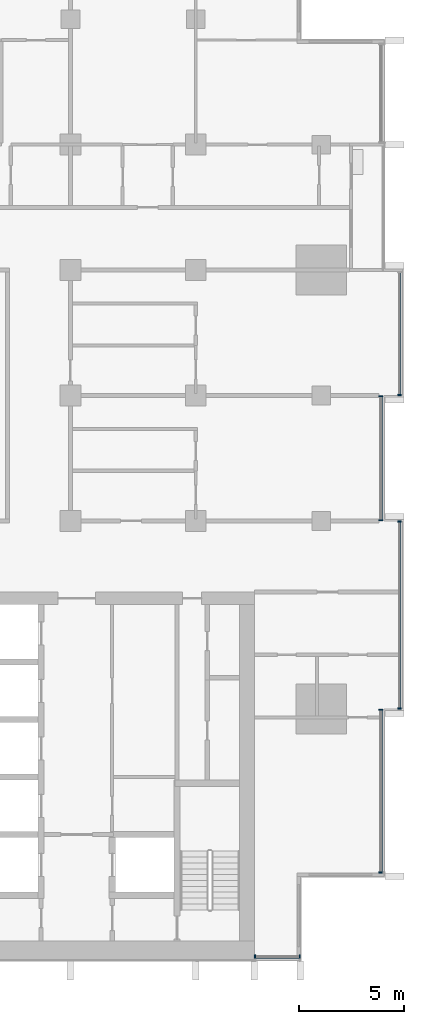
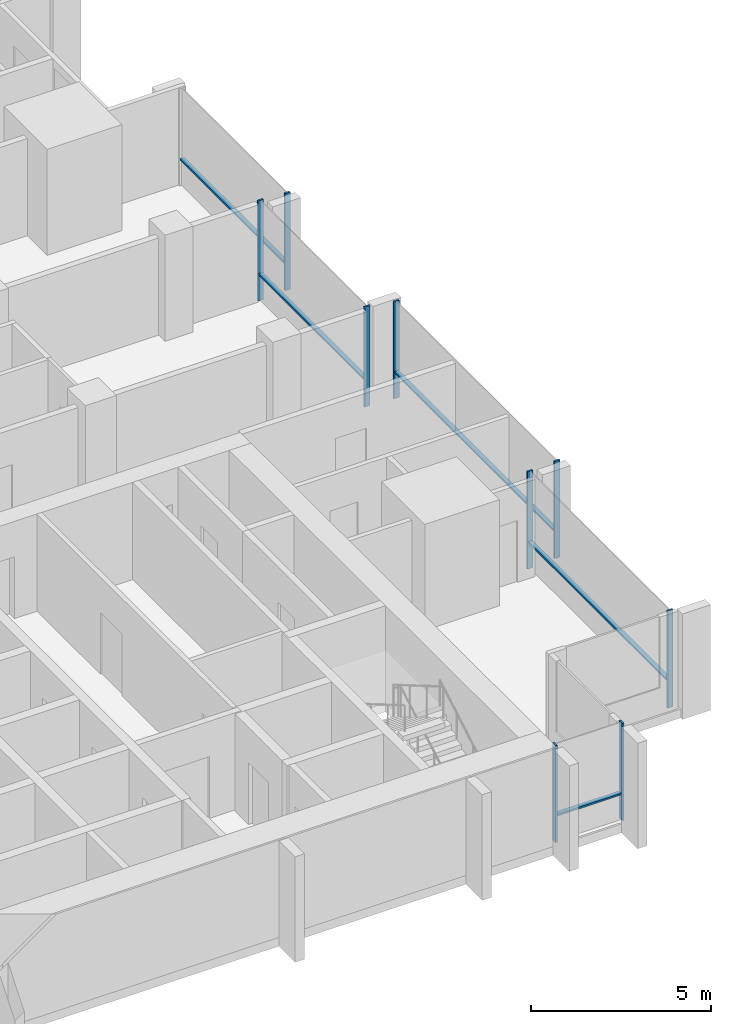
# One storey, part 3 of 16: 14 members, 5 elements without a shape of their own.
"""IFC4 building model written with IfcOpenShell, lengths in metres."""

import ifcopenshell
import ifcopenshell.guid

model = None  # the IFC model being written
_history = None  # IfcOwnerHistory: only IFC2X3 demands one
_inside = {}  # id of a spatial element -> (the spatial element, [elements in it])
_under = {}  # id of a project, library or spatial element -> (it, [spatial elements below it])
_declared = {}  # id of a project -> (the project, [libraries it declares])
_typed = {}  # id of a type object -> (the type object, [elements of that type])
_made_of = {}  # id of a material, layer set ... -> (it, [elements and type objects made of it])


def new_model(schema):
    """Start an empty IFC model of exactly this schema.

    Asked for "IFC4X3", IfcOpenShell would pick the latest addendum, in which some entities
    have other attributes; the version numbers below select the first issue.
    IFC2X3 requires an IfcOwnerHistory on every rooted entity: one is made here for all.
    """
    global model, _history
    if schema == "IFC4X3":
        model = ifcopenshell.file(schema_version=(4, 3, 0, 0))
    else:
        model = ifcopenshell.file(schema=schema)
    _inside.clear()
    _under.clear()
    _declared.clear()
    _typed.clear()
    _made_of.clear()
    _history = None
    if model.schema == "IFC2X3":
        org = make("IfcOrganization", Name="unknown")
        user = make(
            "IfcPersonAndOrganization",
            ThePerson=make("IfcPerson", FamilyName="unknown"),
            TheOrganization=org,
        )
        app = make(
            "IfcApplication",
            ApplicationDeveloper=org,
            Version="unknown",
            ApplicationFullName="unknown",
            ApplicationIdentifier="unknown",
        )
        _history = make(
            "IfcOwnerHistory",
            OwningUser=user,
            OwningApplication=app,
            ChangeAction="ADDED",
            CreationDate=0,
        )
    return model


def make(cls, **values):
    """One entity of the class cls with the attributes given. An attribute that is None is left unset."""
    return model.create_entity(
        cls, **{name: value for name, value in values.items() if value is not None}
    )


def rooted(cls, **values):
    """An entity with a GlobalId (a new one), such as an element, a storey or a relation."""
    return make(cls, GlobalId=ifcopenshell.guid.new(), OwnerHistory=_history, **values)


def si_unit(unit_type, name, prefix=None):
    """IfcSIUnit, for example si_unit("LENGTHUNIT", "METRE", prefix="MILLI")."""
    return make("IfcSIUnit", UnitType=unit_type, Prefix=prefix, Name=name)


def assignment(units):
    """IfcUnitAssignment: the units of a project."""
    return None if units is None else make("IfcUnitAssignment", Units=units)


def point(xyz):
    """IfcCartesianPoint."""
    return None if xyz is None else make("IfcCartesianPoint", Coordinates=xyz)


def direction(xyz):
    """IfcDirection."""
    return None if xyz is None else make("IfcDirection", DirectionRatios=xyz)


def frame(location, z_axis=None, x_axis=None):
    """IfcAxis2Placement3D, a coordinate frame: its origin and axes. An axis left out is left unset."""
    return make(
        "IfcAxis2Placement3D",
        Location=point(location),
        Axis=direction(z_axis),
        RefDirection=direction(x_axis),
    )


def frame_2d(location, x_axis=None):
    """IfcAxis2Placement2D, a coordinate frame in the plane: its origin and x axis."""
    return make(
        "IfcAxis2Placement2D", Location=point(location), RefDirection=direction(x_axis)
    )


def origin():
    """The frame at (0, 0, 0) with its axes left unset."""
    return frame((0.0, 0.0, 0.0))


def origin_2d():
    """The frame at (0, 0) in the plane with its x axis left unset."""
    return frame_2d((0.0, 0.0))


def place(relative_to, where):
    """IfcLocalPlacement: puts the frame where relative to a parent placement (None: the world)."""
    return make(
        "IfcLocalPlacement", PlacementRelTo=relative_to, RelativePlacement=where
    )


def context(
    kind, dimensions, precision=None, world=None, true_north=None, identifier=None
):
    """IfcGeometricRepresentationContext, for example the 3D "Model" context."""
    return make(
        "IfcGeometricRepresentationContext",
        ContextIdentifier=identifier,
        ContextType=kind,
        CoordinateSpaceDimension=dimensions,
        Precision=precision,
        WorldCoordinateSystem=world,
        TrueNorth=true_north,
    )


def subcontext(parent, identifier, kind, view, scale=None):
    """IfcGeometricRepresentationSubContext, for example "Body" below "Model"."""
    return make(
        "IfcGeometricRepresentationSubContext",
        ContextIdentifier=identifier,
        ContextType=kind,
        ParentContext=parent,
        TargetScale=scale,
        TargetView=view,
    )


def project(units=None, contexts=None):
    """IfcProject with its units and contexts."""
    return rooted(
        "IfcProject",
        Name="project",
        RepresentationContexts=contexts,
        UnitsInContext=assignment(units),
    )


def spatial(cls, under=None, at=None, **own):
    """A site, building, storey or space (cls), placed at a placement, below another one or the project."""
    s = rooted(cls, ObjectPlacement=at, **own)
    if under is not None:
        _under.setdefault(under.id(), (under, []))[1].append(s)
    return s


def profile(cls, at=None, kind="AREA", **sizes):
    """A parametric profile (cls). Its sizes go by their IFC names, for example OverallWidth=200.0."""
    return make(cls, ProfileType=kind, Position=at, **sizes)


def rectangle(**sizes):
    """IfcRectangleProfileDef."""
    return profile("IfcRectangleProfileDef", **sizes)


def extrude(swept, where, along, depth):
    """IfcExtrudedAreaSolid: the profile swept, set in the frame where, extruded along a direction by depth."""
    return make(
        "IfcExtrudedAreaSolid",
        SweptArea=swept,
        Position=where,
        ExtrudedDirection=direction(along),
        Depth=depth,
    )


def shape(context_of_items, identifier, shape_type, items):
    """IfcShapeRepresentation: the items that make up one representation, for example the "Body"."""
    return make(
        "IfcShapeRepresentation",
        ContextOfItems=context_of_items,
        RepresentationIdentifier=identifier,
        RepresentationType=shape_type,
        Items=items,
    )


def material(Name=None, Category=None):
    """IfcMaterial."""
    return make("IfcMaterial", Name=Name, Category=Category)


def material_profile(
    of_material, cross_section, Name=None, Category=None, Priority=None
):
    """IfcMaterialProfile: a cross section and its material."""
    return make(
        "IfcMaterialProfile",
        Name=Name,
        Material=of_material,
        Profile=cross_section,
        Priority=Priority,
        Category=Category,
    )


def profile_set(profiles, Name=None, composite=None):
    """IfcMaterialProfileSet."""
    return make(
        "IfcMaterialProfileSet",
        Name=Name,
        MaterialProfiles=profiles,
        CompositeProfile=composite,
    )


def made_of(thing, what):
    """Note that an element or type object is made of a material, layer set ...; save() writes the relation."""
    if what is not None:
        _made_of.setdefault(what.id(), (what, []))[1].append(thing)
    return thing


def type_object(cls, material=None, **own):
    """A type object (cls), such as IfcWallType, which elements share."""
    return made_of(rooted(cls, **own), material)


def element(
    cls,
    number,
    at=None,
    inside=None,
    cuts=None,
    type_object=None,
    material=None,
    context=None,
    identifier="Body",
    shape_type=None,
    held_by="IfcProductDefinitionShape",
    body=None,
    shapes=None,
    **own,
):
    """One element of the class cls, such as IfcWall. Its Tag is "e" and its number.

    at: its placement. inside: the storey or other place that contains it. cuts: it is an
    opening in that element (IfcRelVoidsElement). A single representation is given by context,
    identifier, shape_type and body (its items); several are given by shapes. held_by: the class
    of the entity that holds the representations. save() writes the other relations.
    """
    e = rooted(cls, Tag="e%d" % number, ObjectPlacement=at, **own)
    if body is not None:
        shapes = [shape(context, identifier, shape_type, body)]
    if shapes is not None:
        e.Representation = make(held_by, Representations=shapes)
    if inside is not None:
        _inside.setdefault(inside.id(), (inside, []))[1].append(e)
    if cuts is not None:
        rooted(
            "IfcRelVoidsElement", RelatingBuildingElement=cuts, RelatedOpeningElement=e
        )
    if type_object is not None:
        _typed.setdefault(type_object.id(), (type_object, []))[1].append(e)
    return made_of(e, material)


def aggregate(whole, parts):
    """IfcRelAggregates: a whole, such as a stair, and the parts it consists of."""
    return rooted("IfcRelAggregates", RelatingObject=whole, RelatedObjects=parts)


def save(model, path):
    """Write the relations noted so far, then the file.

    IfcRelAggregates (storeys below a building ...), IfcRelContainedInSpatialStructure (elements
    in a storey), IfcRelDefinesByType, IfcRelAssociatesMaterial and IfcRelDeclares: one each for
    every whole, place, type object, material and project.
    """
    for whole, parts in _under.values():
        aggregate(whole, parts)
    for where, things in _inside.values():
        rooted(
            "IfcRelContainedInSpatialStructure",
            RelatedElements=things,
            RelatingStructure=where,
        )
    for kind, things in _typed.values():
        rooted("IfcRelDefinesByType", RelatedObjects=things, RelatingType=kind)
    for what, things in _made_of.values():
        rooted("IfcRelAssociatesMaterial", RelatedObjects=things, RelatingMaterial=what)
    for by, libraries in _declared.values():
        rooted("IfcRelDeclares", RelatingContext=by, RelatedDefinitions=libraries)
    model.write(path)


model = new_model("IFC4")

# Units and contexts
model_context = context("Model", 3, precision=1e-05, world=origin(), true_north=direction((0.0, 1.0)))
body_context = subcontext(model_context, "Body", "Model", "MODEL_VIEW")
ifc_project = project(units=[si_unit("LENGTHUNIT", "METRE"), si_unit("AREAUNIT", "SQUARE_METRE"), si_unit("VOLUMEUNIT", "CUBIC_METRE"), si_unit("PLANEANGLEUNIT", "RADIAN"), si_unit("MASSUNIT", "GRAM", prefix="KILO")], contexts=[model_context])

# Site, building, storey
site_placement = place(None, origin())
site = spatial("IfcSite", under=ifc_project, at=site_placement, CompositionType="ELEMENT")
building_placement = place(site_placement, origin())
building = spatial("IfcBuilding", under=site, at=building_placement, Name="Finial Court Residences", CompositionType="ELEMENT")
storey_placement = place(building_placement, frame((0.0, 0.0, 178.10009765625)))
storey = spatial("IfcBuildingStorey", under=building, at=storey_placement, Name="L44", CompositionType="ELEMENT", Elevation=178.10009765625)

# Curtain wall, members
ifc_material = material(Name="Bronze anodised aluminium", Category="aluminium")
curtain_wall_type = type_object("IfcCurtainWallType", Name="Unitised curtain wall, upper zones", PredefinedType="NOTDEFINED", material=ifc_material)
curtain_wall_1_placement = place(storey_placement, origin())
curtain_wall_1 = element("IfcCurtainWall", 1, at=curtain_wall_1_placement, inside=storey, type_object=curtain_wall_type, Name="E-L44-CW-E4", PredefinedType="NOTDEFINED")
ifc_material_profile_1 = material_profile(ifc_material, rectangle(XDim=0.175048828125, YDim=0.06005859375, at=origin_2d()), Name="CW2 mullion 60 x 175")
ifc_profile_set_1 = profile_set([ifc_material_profile_1], Name="Bronze anodised aluminium")
member_type_1 = type_object("IfcMemberType", Name="CW2 mullion 60 x 175", PredefinedType="MULLION", material=ifc_profile_set_1)
member_1_placement = place(storey_placement, frame((19.35009765625, -21.320068359375, 0.0), z_axis=(0.0, 0.0, 1.0), x_axis=(-1.0, 0.0, 0.0)))
member_1 = element("IfcMember", 2, at=member_1_placement, type_object=member_type_1, Name="CW2 mullion 1", PredefinedType="MULLION", context=body_context, shape_type="SweptSolid", body=[
    extrude(rectangle(XDim=0.175048828125, YDim=0.06005859375, at=origin_2d()), origin(), (0.0, 0.0, 1.0), 3.2998046875),
])
member_2_placement = place(storey_placement, frame((19.35009765625, -13.530029296875, 0.0), z_axis=(0.0, 0.0, 1.0), x_axis=(-1.0, 0.0, 0.0)))
member_2 = element("IfcMember", 3, at=member_2_placement, type_object=member_type_1, Name="CW2 mullion 2", PredefinedType="MULLION", context=body_context, shape_type="SweptSolid", body=[
    extrude(rectangle(XDim=0.175048828125, YDim=0.06005859375, at=origin_2d()), origin(), (0.0, 0.0, 1.0), 3.2998046875),
])

curtain_wall_2_placement = place(storey_placement, origin())
curtain_wall_2 = element("IfcCurtainWall", 4, at=curtain_wall_2_placement, inside=storey, type_object=curtain_wall_type, Name="E-L44-CW-E5", PredefinedType="NOTDEFINED")
member_3_placement = place(storey_placement, frame((20.25, -13.469970703125, 0.0), z_axis=(0.0, 0.0, 1.0), x_axis=(-1.0, 0.0, 0.0)))
member_3 = element("IfcMember", 5, at=member_3_placement, type_object=member_type_1, Name="CW2 mullion 1", PredefinedType="MULLION", context=body_context, shape_type="SweptSolid", body=[
    extrude(rectangle(XDim=0.175048828125, YDim=0.06005859375, at=origin_2d()), origin(), (0.0, 0.0, 1.0), 3.2998046875),
])
member_4_placement = place(storey_placement, frame((20.25, -4.530029296875, 0.0), z_axis=(0.0, 0.0, 1.0), x_axis=(-1.0, 0.0, 0.0)))
member_4 = element("IfcMember", 6, at=member_4_placement, type_object=member_type_1, Name="CW2 mullion 2", PredefinedType="MULLION", context=body_context, shape_type="SweptSolid", body=[
    extrude(rectangle(XDim=0.175048828125, YDim=0.06005859375, at=origin_2d()), origin(), (0.0, 0.0, 1.0), 3.2998046875),
])

curtain_wall_3_placement = place(storey_placement, origin())
curtain_wall_3 = element("IfcCurtainWall", 7, at=curtain_wall_3_placement, inside=storey, type_object=curtain_wall_type, Name="E-L44-CW-E6", PredefinedType="NOTDEFINED")
member_5_placement = place(storey_placement, frame((19.35009765625, -4.469970703125, 0.0), z_axis=(0.0, 0.0, 1.0), x_axis=(-1.0, 0.0, 0.0)))
member_5 = element("IfcMember", 8, at=member_5_placement, type_object=member_type_1, Name="CW2 mullion 1", PredefinedType="MULLION", context=body_context, shape_type="SweptSolid", body=[
    extrude(rectangle(XDim=0.175048828125, YDim=0.06005859375, at=origin_2d()), origin(), (0.0, 0.0, 1.0), 3.39990234375),
])
member_6_placement = place(storey_placement, frame((19.35009765625, 1.469970703125, 0.0), z_axis=(0.0, 0.0, 1.0), x_axis=(-1.0, 0.0, 0.0)))
member_6 = element("IfcMember", 9, at=member_6_placement, type_object=member_type_1, Name="CW2 mullion 2", PredefinedType="MULLION", context=body_context, shape_type="SweptSolid", body=[
    extrude(rectangle(XDim=0.175048828125, YDim=0.06005859375, at=origin_2d()), origin(), (0.0, 0.0, 1.0), 3.39990234375),
])

# Curtain wall, member
curtain_wall_4_placement = place(storey_placement, origin())
curtain_wall_4 = element("IfcCurtainWall", 10, at=curtain_wall_4_placement, inside=storey, type_object=curtain_wall_type, Name="E-L44-CW-E7", PredefinedType="NOTDEFINED")
member_7_placement = place(storey_placement, frame((20.25, 1.530029296875, 0.0), z_axis=(0.0, 0.0, 1.0), x_axis=(-1.0, 0.0, 0.0)))
member_7 = element("IfcMember", 11, at=member_7_placement, type_object=member_type_1, Name="CW2 mullion 1", PredefinedType="MULLION", context=body_context, shape_type="SweptSolid", body=[
    extrude(rectangle(XDim=0.175048828125, YDim=0.06005859375, at=origin_2d()), origin(), (0.0, 0.0, 1.0), 3.2998046875),
])

# Curtain wall, members
curtain_wall_5_placement = place(storey_placement, origin())
curtain_wall_5 = element("IfcCurtainWall", 12, at=curtain_wall_5_placement, inside=storey, type_object=curtain_wall_type, Name="E-L44-CW-S10", PredefinedType="NOTDEFINED")
member_8_placement = place(storey_placement, frame((13.330078125, -25.35009765625, 0.0), z_axis=(0.0, 0.0, 1.0), x_axis=(0.0, 1.0, 0.0)))
member_8 = element("IfcMember", 13, at=member_8_placement, type_object=member_type_1, Name="CW2 mullion 1", PredefinedType="MULLION", context=body_context, shape_type="SweptSolid", body=[
    extrude(rectangle(XDim=0.175048828125, YDim=0.06005859375, at=origin_2d()), origin(), (0.0, 0.0, 1.0), 3.2998046875),
])
member_9_placement = place(storey_placement, frame((15.469970703125, -25.35009765625, 0.0), z_axis=(0.0, 0.0, 1.0), x_axis=(0.0, 1.0, 0.0)))
member_9 = element("IfcMember", 14, at=member_9_placement, type_object=member_type_1, Name="CW2 mullion 2", PredefinedType="MULLION", context=body_context, shape_type="SweptSolid", body=[
    extrude(rectangle(XDim=0.175048828125, YDim=0.06005859375, at=origin_2d()), origin(), (0.0, 0.0, 1.0), 3.2998046875),
])

# Member
ifc_material_profile_2 = material_profile(ifc_material, rectangle(XDim=0.139892578125, YDim=0.06005859375, at=origin_2d()), Name="CW2 transom 60 x 140")
ifc_profile_set_2 = profile_set([ifc_material_profile_2], Name="Bronze anodised aluminium")
member_type_2 = type_object("IfcMemberType", Name="CW2 transom 60 x 140", PredefinedType="USERDEFINED", material=ifc_profile_set_2)
member_10_placement = place(storey_placement, frame((19.35009765625, -21.2900390625, 0.89990234375), z_axis=(0.0, 1.0, 0.0), x_axis=(-1.0, 0.0, 0.0)))
member_10 = element("IfcMember", 15, at=member_10_placement, type_object=member_type_2, Name="CW2 transom 1.1", ObjectType="TRANSOM", PredefinedType="USERDEFINED", context=body_context, shape_type="SweptSolid", body=[
    extrude(rectangle(XDim=0.139892578125, YDim=0.06005859375, at=origin_2d()), origin(), (0.0, 0.0, 1.0), 7.72998046875),
])

aggregate(curtain_wall_1, [member_1, member_2, member_10])

member_11_placement = place(storey_placement, frame((20.25, -13.43994140625, 0.89990234375), z_axis=(0.0, 1.0, 0.0), x_axis=(-1.0, 0.0, 0.0)))
member_11 = element("IfcMember", 16, at=member_11_placement, type_object=member_type_2, Name="CW2 transom 1.1", ObjectType="TRANSOM", PredefinedType="USERDEFINED", context=body_context, shape_type="SweptSolid", body=[
    extrude(rectangle(XDim=0.139892578125, YDim=0.06005859375, at=origin_2d()), origin(), (0.0, 0.0, 1.0), 8.8798828125),
])

aggregate(curtain_wall_2, [member_3, member_4, member_11])

member_12_placement = place(storey_placement, frame((19.35009765625, -4.43994140625, 0.89990234375), z_axis=(0.0, 1.0, 0.0), x_axis=(-1.0, 0.0, 0.0)))
member_12 = element("IfcMember", 17, at=member_12_placement, type_object=member_type_2, Name="CW2 transom 1.1", ObjectType="TRANSOM", PredefinedType="USERDEFINED", context=body_context, shape_type="SweptSolid", body=[
    extrude(rectangle(XDim=0.139892578125, YDim=0.06005859375, at=origin_2d()), origin(), (0.0, 0.0, 1.0), 5.8798828125),
])

aggregate(curtain_wall_3, [member_5, member_6, member_12])

member_13_placement = place(storey_placement, frame((20.25, 1.56005859375, 0.89990234375), z_axis=(0.0, 1.0, 0.0), x_axis=(-1.0, 0.0, 0.0)))
member_13 = element("IfcMember", 18, at=member_13_placement, type_object=member_type_2, Name="CW2 transom 1.1", ObjectType="TRANSOM", PredefinedType="USERDEFINED", context=body_context, shape_type="SweptSolid", body=[
    extrude(rectangle(XDim=0.139892578125, YDim=0.06005859375, at=origin_2d()), origin(), (0.0, 0.0, 1.0), 5.804931640625),
])

aggregate(curtain_wall_4, [member_7, member_13])

member_14_placement = place(storey_placement, frame((13.360107421875, -25.35009765625, 0.89990234375), z_axis=(1.0, 0.0, 0.0), x_axis=(0.0, 1.0, 0.0)))
member_14 = element("IfcMember", 19, at=member_14_placement, type_object=member_type_2, Name="CW2 transom 1.1", ObjectType="TRANSOM", PredefinedType="USERDEFINED", context=body_context, shape_type="SweptSolid", body=[
    extrude(rectangle(XDim=0.139892578125, YDim=0.06005859375, at=origin_2d()), origin(), (0.0, 0.0, 1.0), 2.079833984375),
])

aggregate(curtain_wall_5, [member_8, member_9, member_14])

save(model, "model.ifc")
